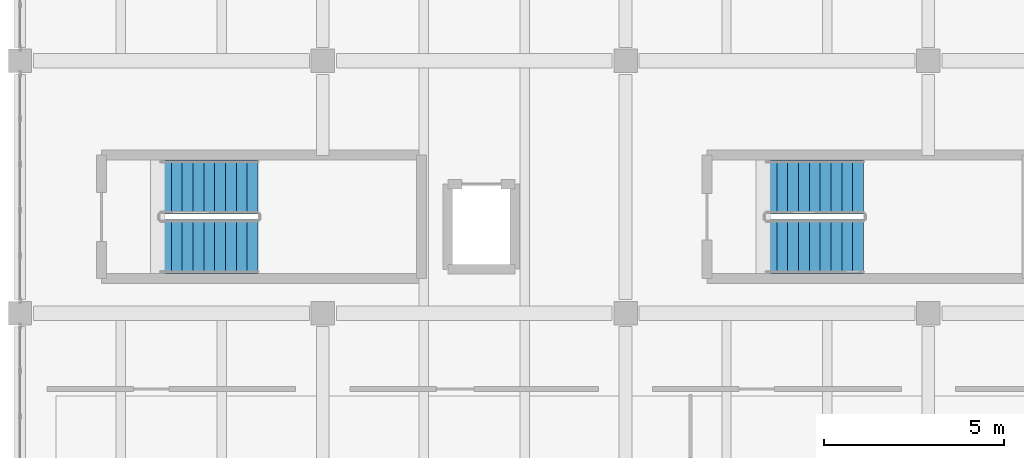
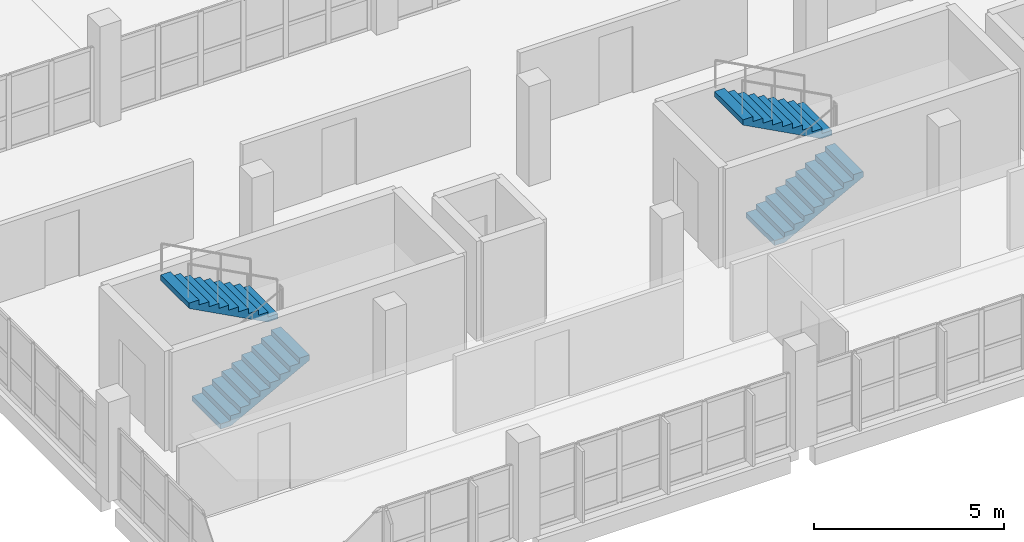
# One storey, part 29 of 33: 4 stair flights, 2 elements without a shape of their own.
"""IFC4 building model written with IfcOpenShell, lengths in metres."""

from ifc_helpers import new_model, si_unit, direction, frame, origin, place, context, subcontext, project, spatial, polyline, outline, extrude, material, layer, layer_set, type_object, element, aggregate, save


model = new_model("IFC4")

# Units and contexts
model_context = context("Model", 3, precision=1e-05, world=origin(), true_north=direction((0.0, 1.0)))
body_context = subcontext(model_context, "Body", "Model", "MODEL_VIEW")
ifc_project = project(units=[si_unit("LENGTHUNIT", "METRE"), si_unit("AREAUNIT", "SQUARE_METRE"), si_unit("VOLUMEUNIT", "CUBIC_METRE"), si_unit("PLANEANGLEUNIT", "RADIAN"), si_unit("MASSUNIT", "GRAM", prefix="KILO"), si_unit("THERMODYNAMICTEMPERATUREUNIT", "KELVIN"), si_unit("POWERUNIT", "WATT")], contexts=[model_context])

# Site, building, storey
site_placement = place(None, origin())
site = spatial("IfcSite", under=ifc_project, at=site_placement, CompositionType="ELEMENT")
building_placement = place(site_placement, origin())
building = spatial("IfcBuilding", under=site, at=building_placement, Name="Mavoryth Pier Ferry Terminal", CompositionType="ELEMENT")
storey_placement = place(building_placement, frame((0.0, 0.0, 13.1201171875)))
storey = spatial("IfcBuildingStorey", under=building, at=storey_placement, Name="L03", CompositionType="ELEMENT", Elevation=13.1201171875)

# Stair, stair flights
ifc_material = material(Name="Concrete C35/45", Category="concrete")
stair_type = type_object("IfcStairType", Name="Stair-Core-W1500", PredefinedType="TWO_STRAIGHT_RUN_STAIR", material=ifc_material)
stair_1_placement = place(storey_placement, origin())
stair_1 = element("IfcStair", 1, at=stair_1_placement, inside=storey, type_object=stair_type, Name="L03 Core C5A Stair", PredefinedType="TWO_STRAIGHT_RUN_STAIR")
ifc_layer = layer(ifc_material, 0.14990234375, Name="Concrete C35/45", Category="concrete")
ifc_layer_set = layer_set([ifc_layer], Name="Concrete C35/45 - Flight-Core-W1500")
stair_flight_type = type_object("IfcStairFlightType", Name="Flight-Core-W1500", PredefinedType="STRAIGHT", material=ifc_layer_set)
stair_flight_1_placement = place(storey_placement, frame((45.89990234375, 8.85009765625, 0.0), z_axis=(0.0, 0.0, 1.0), x_axis=(1.0, 0.0, 0.0)))
stair_flight_1 = element("IfcStairFlight", 2, at=stair_flight_1_placement, type_object=stair_flight_type, Name="ST11 flight 1", NumberOfRisers=10, NumberOfTreads=9, PredefinedType="STRAIGHT", RiserHeight=0.16, TreadLength=0.3, context=body_context, shape_type="SweptSolid", body=[
    extrude(outline(polyline([(0.0, 0.0), (0.0, 0.159912109375), (0.300048828125, 0.159912109375), (0.300048828125, 0.320068359375), (0.60009765625, 0.320068359375), (0.60009765625, 0.47998046875), (0.89990234375, 0.47998046875), (0.89990234375, 0.639892578125), (1.199951171875, 0.639892578125), (1.199951171875, 0.800048828125), (1.5, 0.800048828125), (1.5, 0.9599609375), (1.800048828125, 0.9599609375), (1.800048828125, 1.1201171875), (2.10009765625, 1.1201171875), (2.10009765625, 1.280029296875), (2.39990234375, 1.280029296875), (2.39990234375, 1.43994140625), (2.699951171875, 1.43994140625), (2.699951171875, 1.60009765625), (2.699951171875, 1.27001953125), (0.318603515625, 0.0), (0.0, 0.0)])), frame((0.0, 0.75, 0.0), z_axis=(0.0, -1.0, 0.0), x_axis=(1.0, 0.0, 0.0)), (0.0, 0.0, 1.0), 1.5),
])
stair_flight_2_placement = place(storey_placement, frame((48.60009765625, 10.5, 1.599853515625), z_axis=(0.0, 0.0, 1.0), x_axis=(-1.0, 0.0, 0.0)))
stair_flight_2 = element("IfcStairFlight", 3, at=stair_flight_2_placement, type_object=stair_flight_type, Name="ST11 flight 2", NumberOfRisers=10, NumberOfTreads=9, PredefinedType="STRAIGHT", RiserHeight=0.16, TreadLength=0.3, context=body_context, shape_type="SweptSolid", body=[
    extrude(outline(polyline([(0.0, 0.0), (0.0, 0.159912109375), (0.300048828125, 0.159912109375), (0.300048828125, 0.320068359375), (0.60009765625, 0.320068359375), (0.60009765625, 0.47998046875), (0.89990234375, 0.47998046875), (0.89990234375, 0.639892578125), (1.199951171875, 0.639892578125), (1.199951171875, 0.800048828125), (1.5, 0.800048828125), (1.5, 0.9599609375), (1.800048828125, 0.9599609375), (1.800048828125, 1.1201171875), (2.10009765625, 1.1201171875), (2.10009765625, 1.280029296875), (2.39990234375, 1.280029296875), (2.39990234375, 1.43994140625), (2.699951171875, 1.43994140625), (2.699951171875, 1.60009765625), (2.699951171875, 1.27001953125), (0.318603515625, 0.0), (0.0, 0.0)])), frame((0.0, 0.75, 0.0), z_axis=(0.0, -1.0, 0.0), x_axis=(1.0, 0.0, 0.0)), (0.0, 0.0, 1.0), 1.5),
])
aggregate(stair_1, [stair_flight_1, stair_flight_2])

stair_2_placement = place(storey_placement, origin())
stair_2 = element("IfcStair", 4, at=stair_2_placement, inside=storey, type_object=stair_type, Name="L03 Core C5B Stair", PredefinedType="TWO_STRAIGHT_RUN_STAIR")
stair_flight_3_placement = place(storey_placement, frame((62.699951171875, 8.85009765625, 0.0), z_axis=(0.0, 0.0, 1.0), x_axis=(1.0, 0.0, 0.0)))
stair_flight_3 = element("IfcStairFlight", 5, at=stair_flight_3_placement, type_object=stair_flight_type, Name="ST12 flight 1", NumberOfRisers=10, NumberOfTreads=9, PredefinedType="STRAIGHT", RiserHeight=0.16, TreadLength=0.3, context=body_context, shape_type="SweptSolid", body=[
    extrude(outline(polyline([(0.0, 0.0), (0.0, 0.159912109375), (0.300048828125, 0.159912109375), (0.300048828125, 0.320068359375), (0.60009765625, 0.320068359375), (0.60009765625, 0.47998046875), (0.89990234375, 0.47998046875), (0.89990234375, 0.639892578125), (1.199951171875, 0.639892578125), (1.199951171875, 0.800048828125), (1.5, 0.800048828125), (1.5, 0.9599609375), (1.800048828125, 0.9599609375), (1.800048828125, 1.1201171875), (2.10009765625, 1.1201171875), (2.10009765625, 1.280029296875), (2.39990234375, 1.280029296875), (2.39990234375, 1.43994140625), (2.699951171875, 1.43994140625), (2.699951171875, 1.60009765625), (2.699951171875, 1.27001953125), (0.318603515625, 0.0), (0.0, 0.0)])), frame((0.0, 0.75, 0.0), z_axis=(0.0, -1.0, 0.0), x_axis=(1.0, 0.0, 0.0)), (0.0, 0.0, 1.0), 1.5),
])
stair_flight_4_placement = place(storey_placement, frame((65.39990234375, 10.5, 1.599853515625), z_axis=(0.0, 0.0, 1.0), x_axis=(-1.0, 0.0, 0.0)))
stair_flight_4 = element("IfcStairFlight", 6, at=stair_flight_4_placement, type_object=stair_flight_type, Name="ST12 flight 2", NumberOfRisers=10, NumberOfTreads=9, PredefinedType="STRAIGHT", RiserHeight=0.16, TreadLength=0.3, context=body_context, shape_type="SweptSolid", body=[
    extrude(outline(polyline([(0.0, 0.0), (0.0, 0.159912109375), (0.300048828125, 0.159912109375), (0.300048828125, 0.320068359375), (0.60009765625, 0.320068359375), (0.60009765625, 0.47998046875), (0.89990234375, 0.47998046875), (0.89990234375, 0.639892578125), (1.199951171875, 0.639892578125), (1.199951171875, 0.800048828125), (1.5, 0.800048828125), (1.5, 0.9599609375), (1.800048828125, 0.9599609375), (1.800048828125, 1.1201171875), (2.10009765625, 1.1201171875), (2.10009765625, 1.280029296875), (2.39990234375, 1.280029296875), (2.39990234375, 1.43994140625), (2.699951171875, 1.43994140625), (2.699951171875, 1.60009765625), (2.699951171875, 1.27001953125), (0.318603515625, 0.0), (0.0, 0.0)])), frame((0.0, 0.75, 0.0), z_axis=(0.0, -1.0, 0.0), x_axis=(1.0, 0.0, 0.0)), (0.0, 0.0, 1.0), 1.5),
])
aggregate(stair_2, [stair_flight_3, stair_flight_4])

save(model, "model.ifc")
